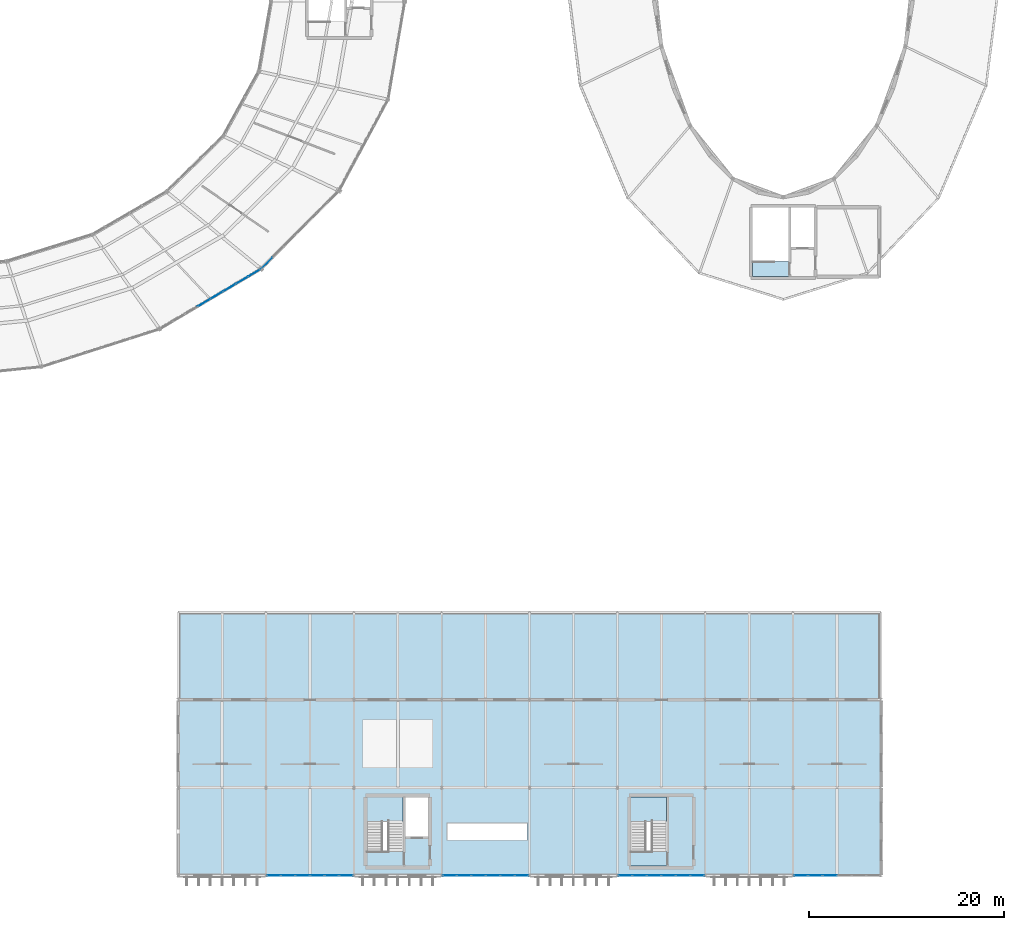
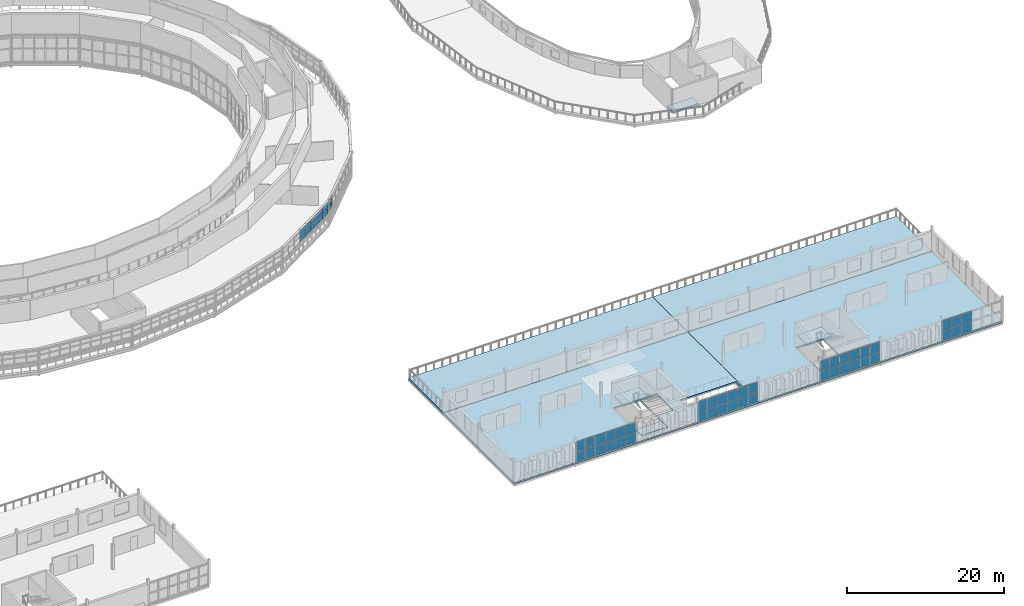
# One storey, part 86 of 123: 54 plates, 9 slabs, 8 elements without a shape of their own.
"""IFC4 building model written with IfcOpenShell, lengths in metres."""

from ifc_helpers import new_model, si_unit, direction, frame, origin, origin_2d, place, context, subcontext, project, spatial, polyline, rectangle, outline, extrude, material, layer, layer_set, type_object, element, aggregate, save


model = new_model("IFC4")

# Units and contexts
model_context = context("Model", 3, precision=1e-05, world=origin(), true_north=direction((0.0, 1.0)))
body_context = subcontext(model_context, "Body", "Model", "MODEL_VIEW")
ifc_project = project(units=[si_unit("LENGTHUNIT", "METRE"), si_unit("AREAUNIT", "SQUARE_METRE"), si_unit("VOLUMEUNIT", "CUBIC_METRE"), si_unit("PLANEANGLEUNIT", "RADIAN"), si_unit("MASSUNIT", "GRAM", prefix="KILO")], contexts=[model_context])

# Site, building, storey
site_placement = place(None, origin())
site = spatial("IfcSite", under=ifc_project, at=site_placement, CompositionType="ELEMENT")
building_placement = place(site_placement, origin())
building = spatial("IfcBuilding", under=site, at=building_placement, Name="Kildeholm Park Wholesale Market", CompositionType="ELEMENT")
storey_placement = place(building_placement, frame((0.0, 0.0, 9.60009765625)))
storey = spatial("IfcBuildingStorey", under=building, at=storey_placement, Name="L02", CompositionType="ELEMENT", Elevation=9.60009765625)

# Curtain wall, plates
ifc_material_1 = material(Name="Anodised aluminium and low-E double-glazed glass", Category="aluminium")
curtain_wall_type_1 = type_object("IfcCurtainWallType", Name="Park wing thermally broken curtain wall CW-03", PredefinedType="NOTDEFINED", material=ifc_material_1)
curtain_wall_1_placement = place(storey_placement, origin())
curtain_wall_1 = element("IfcCurtainWall", 1, at=curtain_wall_1_placement, inside=storey, type_object=curtain_wall_type_1, Name="Curtain wall CW-V5E-L02-S-02 CW-0155", PredefinedType="NOTDEFINED")
ifc_material_2 = material(Name="Triple-glazed solar-control glass", Category="glass")
ifc_layer_1 = layer(ifc_material_2, 0.035888671875)
ifc_layer_set_1 = layer_set([ifc_layer_1], Name="Triple-glazed solar-control glass")
plate_type_1 = type_object("IfcPlateType", Name="Curtain-wall panel CWP-2 36 mm", PredefinedType="CURTAIN_PANEL", material=ifc_layer_set_1)
plate_1_placement = place(storey_placement, frame((135.802001953125, 0.0, 0.07470703125), z_axis=(0.0, 0.0, 1.0), x_axis=(1.0, 0.0, 0.0)))
plate_1 = element("IfcPlate", 2, at=plate_1_placement, type_object=plate_type_1, Name="CW-03 panel 1.1 PLT-2268", PredefinedType="CURTAIN_PANEL", context=body_context, shape_type="SweptSolid", body=[
    extrude(rectangle(XDim=1.374267578125, YDim=0.035888671875, at=origin_2d()), origin(), (0.0, 0.0, 1.0), 1.512451171875),
])
plate_2_placement = place(storey_placement, frame((135.802001953125, 0.0, 1.66259765625), z_axis=(0.0, 0.0, 1.0), x_axis=(1.0, 0.0, 0.0)))
plate_2 = element("IfcPlate", 3, at=plate_2_placement, type_object=plate_type_1, Name="CW-03 panel 1.2 PLT-2269", PredefinedType="CURTAIN_PANEL", context=body_context, shape_type="SweptSolid", body=[
    extrude(rectangle(XDim=1.374267578125, YDim=0.035888671875, at=origin_2d()), origin(), (0.0, 0.0, 1.0), 1.512451171875),
])
plate_3_placement = place(storey_placement, frame((137.27001953125, 0.0, 0.07470703125), z_axis=(0.0, 0.0, 1.0), x_axis=(1.0, 0.0, 0.0)))
plate_3 = element("IfcPlate", 4, at=plate_3_placement, type_object=plate_type_1, Name="CW-03 panel 2.1 PLT-2270", PredefinedType="CURTAIN_PANEL", context=body_context, shape_type="SweptSolid", body=[
    extrude(rectangle(XDim=1.41162109375, YDim=0.035888671875, at=origin_2d()), origin(), (0.0, 0.0, 1.0), 1.512451171875),
])
plate_4_placement = place(storey_placement, frame((137.27001953125, 0.0, 1.66259765625), z_axis=(0.0, 0.0, 1.0), x_axis=(1.0, 0.0, 0.0)))
plate_4 = element("IfcPlate", 5, at=plate_4_placement, type_object=plate_type_1, Name="CW-03 panel 2.2 PLT-2271", PredefinedType="CURTAIN_PANEL", context=body_context, shape_type="SweptSolid", body=[
    extrude(rectangle(XDim=1.41162109375, YDim=0.035888671875, at=origin_2d()), origin(), (0.0, 0.0, 1.0), 1.512451171875),
])
plate_5_placement = place(storey_placement, frame((138.756591796875, 0.0, 0.07470703125), z_axis=(0.0, 0.0, 1.0), x_axis=(1.0, 0.0, 0.0)))
plate_5 = element("IfcPlate", 6, at=plate_5_placement, type_object=plate_type_1, Name="CW-03 panel 3.1 PLT-2272", PredefinedType="CURTAIN_PANEL", context=body_context, shape_type="SweptSolid", body=[
    extrude(rectangle(XDim=1.41162109375, YDim=0.035888671875, at=origin_2d()), origin(), (0.0, 0.0, 1.0), 1.512451171875),
])
plate_6_placement = place(storey_placement, frame((138.756591796875, 0.0, 1.66259765625), z_axis=(0.0, 0.0, 1.0), x_axis=(1.0, 0.0, 0.0)))
plate_6 = element("IfcPlate", 7, at=plate_6_placement, type_object=plate_type_1, Name="CW-03 panel 3.2 PLT-2273", PredefinedType="CURTAIN_PANEL", context=body_context, shape_type="SweptSolid", body=[
    extrude(rectangle(XDim=1.41162109375, YDim=0.035888671875, at=origin_2d()), origin(), (0.0, 0.0, 1.0), 1.512451171875),
])
plate_7_placement = place(storey_placement, frame((140.243408203125, 0.0, 0.07470703125), z_axis=(0.0, 0.0, 1.0), x_axis=(1.0, 0.0, 0.0)))
plate_7 = element("IfcPlate", 8, at=plate_7_placement, type_object=plate_type_1, Name="CW-03 panel 4.1 PLT-2274", PredefinedType="CURTAIN_PANEL", context=body_context, shape_type="SweptSolid", body=[
    extrude(rectangle(XDim=1.41162109375, YDim=0.035888671875, at=origin_2d()), origin(), (0.0, 0.0, 1.0), 1.512451171875),
])
plate_8_placement = place(storey_placement, frame((140.243408203125, 0.0, 1.66259765625), z_axis=(0.0, 0.0, 1.0), x_axis=(1.0, 0.0, 0.0)))
plate_8 = element("IfcPlate", 9, at=plate_8_placement, type_object=plate_type_1, Name="CW-03 panel 4.2 PLT-2275", PredefinedType="CURTAIN_PANEL", context=body_context, shape_type="SweptSolid", body=[
    extrude(rectangle(XDim=1.41162109375, YDim=0.035888671875, at=origin_2d()), origin(), (0.0, 0.0, 1.0), 1.512451171875),
])
plate_9_placement = place(storey_placement, frame((141.72998046875, 0.0, 0.07470703125), z_axis=(0.0, 0.0, 1.0), x_axis=(1.0, 0.0, 0.0)))
plate_9 = element("IfcPlate", 10, at=plate_9_placement, type_object=plate_type_1, Name="CW-03 panel 5.1 PLT-2276", PredefinedType="CURTAIN_PANEL", context=body_context, shape_type="SweptSolid", body=[
    extrude(rectangle(XDim=1.41162109375, YDim=0.035888671875, at=origin_2d()), origin(), (0.0, 0.0, 1.0), 1.512451171875),
])
plate_10_placement = place(storey_placement, frame((141.72998046875, 0.0, 1.66259765625), z_axis=(0.0, 0.0, 1.0), x_axis=(1.0, 0.0, 0.0)))
plate_10 = element("IfcPlate", 11, at=plate_10_placement, type_object=plate_type_1, Name="CW-03 panel 5.2 PLT-2277", PredefinedType="CURTAIN_PANEL", context=body_context, shape_type="SweptSolid", body=[
    extrude(rectangle(XDim=1.41162109375, YDim=0.035888671875, at=origin_2d()), origin(), (0.0, 0.0, 1.0), 1.512451171875),
])
plate_11_placement = place(storey_placement, frame((143.197998046875, 0.0, 0.07470703125), z_axis=(0.0, 0.0, 1.0), x_axis=(1.0, 0.0, 0.0)))
plate_11 = element("IfcPlate", 12, at=plate_11_placement, type_object=plate_type_1, Name="CW-03 panel 6.1 PLT-2278", PredefinedType="CURTAIN_PANEL", context=body_context, shape_type="SweptSolid", body=[
    extrude(rectangle(XDim=1.374267578125, YDim=0.035888671875, at=origin_2d()), origin(), (0.0, 0.0, 1.0), 1.512451171875),
])
plate_12_placement = place(storey_placement, frame((143.197998046875, 0.0, 1.66259765625), z_axis=(0.0, 0.0, 1.0), x_axis=(1.0, 0.0, 0.0)))
plate_12 = element("IfcPlate", 13, at=plate_12_placement, type_object=plate_type_1, Name="CW-03 panel 6.2 PLT-2279", PredefinedType="CURTAIN_PANEL", context=body_context, shape_type="SweptSolid", body=[
    extrude(rectangle(XDim=1.374267578125, YDim=0.035888671875, at=origin_2d()), origin(), (0.0, 0.0, 1.0), 1.512451171875),
])
aggregate(curtain_wall_1, [plate_1, plate_2, plate_3, plate_4, plate_5, plate_6, plate_7, plate_8, plate_9, plate_10, plate_11, plate_12])

curtain_wall_2_placement = place(storey_placement, origin())
curtain_wall_2 = element("IfcCurtainWall", 14, at=curtain_wall_2_placement, inside=storey, type_object=curtain_wall_type_1, Name="Curtain wall CW-V5E-L02-S-04 CW-0156", PredefinedType="NOTDEFINED")
plate_13_placement = place(storey_placement, frame((153.802001953125, 0.0, 0.07470703125), z_axis=(0.0, 0.0, 1.0), x_axis=(1.0, 0.0, 0.0)))
plate_13 = element("IfcPlate", 15, at=plate_13_placement, type_object=plate_type_1, Name="CW-03 panel 1.1 PLT-2280", PredefinedType="CURTAIN_PANEL", context=body_context, shape_type="SweptSolid", body=[
    extrude(rectangle(XDim=1.374267578125, YDim=0.035888671875, at=origin_2d()), origin(), (0.0, 0.0, 1.0), 1.512451171875),
])
plate_14_placement = place(storey_placement, frame((153.802001953125, 0.0, 1.66259765625), z_axis=(0.0, 0.0, 1.0), x_axis=(1.0, 0.0, 0.0)))
plate_14 = element("IfcPlate", 16, at=plate_14_placement, type_object=plate_type_1, Name="CW-03 panel 1.2 PLT-2281", PredefinedType="CURTAIN_PANEL", context=body_context, shape_type="SweptSolid", body=[
    extrude(rectangle(XDim=1.374267578125, YDim=0.035888671875, at=origin_2d()), origin(), (0.0, 0.0, 1.0), 1.512451171875),
])
plate_15_placement = place(storey_placement, frame((155.27001953125, 0.0, 0.07470703125), z_axis=(0.0, 0.0, 1.0), x_axis=(1.0, 0.0, 0.0)))
plate_15 = element("IfcPlate", 17, at=plate_15_placement, type_object=plate_type_1, Name="CW-03 panel 2.1 PLT-2282", PredefinedType="CURTAIN_PANEL", context=body_context, shape_type="SweptSolid", body=[
    extrude(rectangle(XDim=1.41162109375, YDim=0.035888671875, at=origin_2d()), origin(), (0.0, 0.0, 1.0), 1.512451171875),
])
plate_16_placement = place(storey_placement, frame((155.27001953125, 0.0, 1.66259765625), z_axis=(0.0, 0.0, 1.0), x_axis=(1.0, 0.0, 0.0)))
plate_16 = element("IfcPlate", 18, at=plate_16_placement, type_object=plate_type_1, Name="CW-03 panel 2.2 PLT-2283", PredefinedType="CURTAIN_PANEL", context=body_context, shape_type="SweptSolid", body=[
    extrude(rectangle(XDim=1.41162109375, YDim=0.035888671875, at=origin_2d()), origin(), (0.0, 0.0, 1.0), 1.512451171875),
])
plate_17_placement = place(storey_placement, frame((156.756591796875, 0.0, 0.07470703125), z_axis=(0.0, 0.0, 1.0), x_axis=(1.0, 0.0, 0.0)))
plate_17 = element("IfcPlate", 19, at=plate_17_placement, type_object=plate_type_1, Name="CW-03 panel 3.1 PLT-2284", PredefinedType="CURTAIN_PANEL", context=body_context, shape_type="SweptSolid", body=[
    extrude(rectangle(XDim=1.41162109375, YDim=0.035888671875, at=origin_2d()), origin(), (0.0, 0.0, 1.0), 1.512451171875),
])
plate_18_placement = place(storey_placement, frame((156.756591796875, 0.0, 1.66259765625), z_axis=(0.0, 0.0, 1.0), x_axis=(1.0, 0.0, 0.0)))
plate_18 = element("IfcPlate", 20, at=plate_18_placement, type_object=plate_type_1, Name="CW-03 panel 3.2 PLT-2285", PredefinedType="CURTAIN_PANEL", context=body_context, shape_type="SweptSolid", body=[
    extrude(rectangle(XDim=1.41162109375, YDim=0.035888671875, at=origin_2d()), origin(), (0.0, 0.0, 1.0), 1.512451171875),
])
plate_19_placement = place(storey_placement, frame((158.243408203125, 0.0, 0.07470703125), z_axis=(0.0, 0.0, 1.0), x_axis=(1.0, 0.0, 0.0)))
plate_19 = element("IfcPlate", 21, at=plate_19_placement, type_object=plate_type_1, Name="CW-03 panel 4.1 PLT-2286", PredefinedType="CURTAIN_PANEL", context=body_context, shape_type="SweptSolid", body=[
    extrude(rectangle(XDim=1.41162109375, YDim=0.035888671875, at=origin_2d()), origin(), (0.0, 0.0, 1.0), 1.512451171875),
])
plate_20_placement = place(storey_placement, frame((158.243408203125, 0.0, 1.66259765625), z_axis=(0.0, 0.0, 1.0), x_axis=(1.0, 0.0, 0.0)))
plate_20 = element("IfcPlate", 22, at=plate_20_placement, type_object=plate_type_1, Name="CW-03 panel 4.2 PLT-2287", PredefinedType="CURTAIN_PANEL", context=body_context, shape_type="SweptSolid", body=[
    extrude(rectangle(XDim=1.41162109375, YDim=0.035888671875, at=origin_2d()), origin(), (0.0, 0.0, 1.0), 1.512451171875),
])
plate_21_placement = place(storey_placement, frame((159.72998046875, 0.0, 0.07470703125), z_axis=(0.0, 0.0, 1.0), x_axis=(1.0, 0.0, 0.0)))
plate_21 = element("IfcPlate", 23, at=plate_21_placement, type_object=plate_type_1, Name="CW-03 panel 5.1 PLT-2288", PredefinedType="CURTAIN_PANEL", context=body_context, shape_type="SweptSolid", body=[
    extrude(rectangle(XDim=1.41162109375, YDim=0.035888671875, at=origin_2d()), origin(), (0.0, 0.0, 1.0), 1.512451171875),
])
plate_22_placement = place(storey_placement, frame((159.72998046875, 0.0, 1.66259765625), z_axis=(0.0, 0.0, 1.0), x_axis=(1.0, 0.0, 0.0)))
plate_22 = element("IfcPlate", 24, at=plate_22_placement, type_object=plate_type_1, Name="CW-03 panel 5.2 PLT-2289", PredefinedType="CURTAIN_PANEL", context=body_context, shape_type="SweptSolid", body=[
    extrude(rectangle(XDim=1.41162109375, YDim=0.035888671875, at=origin_2d()), origin(), (0.0, 0.0, 1.0), 1.512451171875),
])
plate_23_placement = place(storey_placement, frame((161.197998046875, 0.0, 0.07470703125), z_axis=(0.0, 0.0, 1.0), x_axis=(1.0, 0.0, 0.0)))
plate_23 = element("IfcPlate", 25, at=plate_23_placement, type_object=plate_type_1, Name="CW-03 panel 6.1 PLT-2290", PredefinedType="CURTAIN_PANEL", context=body_context, shape_type="SweptSolid", body=[
    extrude(rectangle(XDim=1.374267578125, YDim=0.035888671875, at=origin_2d()), origin(), (0.0, 0.0, 1.0), 1.512451171875),
])
plate_24_placement = place(storey_placement, frame((161.197998046875, 0.0, 1.66259765625), z_axis=(0.0, 0.0, 1.0), x_axis=(1.0, 0.0, 0.0)))
plate_24 = element("IfcPlate", 26, at=plate_24_placement, type_object=plate_type_1, Name="CW-03 panel 6.2 PLT-2291", PredefinedType="CURTAIN_PANEL", context=body_context, shape_type="SweptSolid", body=[
    extrude(rectangle(XDim=1.374267578125, YDim=0.035888671875, at=origin_2d()), origin(), (0.0, 0.0, 1.0), 1.512451171875),
])
aggregate(curtain_wall_2, [plate_13, plate_14, plate_15, plate_16, plate_17, plate_18, plate_19, plate_20, plate_21, plate_22, plate_23, plate_24])

curtain_wall_3_placement = place(storey_placement, origin())
curtain_wall_3 = element("IfcCurtainWall", 27, at=curtain_wall_3_placement, inside=storey, type_object=curtain_wall_type_1, Name="Curtain wall CW-V5E-L02-S-06 CW-0157", PredefinedType="NOTDEFINED")
plate_25_placement = place(storey_placement, frame((171.802001953125, 0.0, 0.07470703125), z_axis=(0.0, 0.0, 1.0), x_axis=(1.0, 0.0, 0.0)))
plate_25 = element("IfcPlate", 28, at=plate_25_placement, type_object=plate_type_1, Name="CW-03 panel 1.1 PLT-2292", PredefinedType="CURTAIN_PANEL", context=body_context, shape_type="SweptSolid", body=[
    extrude(rectangle(XDim=1.374267578125, YDim=0.035888671875, at=origin_2d()), origin(), (0.0, 0.0, 1.0), 1.512451171875),
])
plate_26_placement = place(storey_placement, frame((171.802001953125, 0.0, 1.66259765625), z_axis=(0.0, 0.0, 1.0), x_axis=(1.0, 0.0, 0.0)))
plate_26 = element("IfcPlate", 29, at=plate_26_placement, type_object=plate_type_1, Name="CW-03 panel 1.2 PLT-2293", PredefinedType="CURTAIN_PANEL", context=body_context, shape_type="SweptSolid", body=[
    extrude(rectangle(XDim=1.374267578125, YDim=0.035888671875, at=origin_2d()), origin(), (0.0, 0.0, 1.0), 1.512451171875),
])
plate_27_placement = place(storey_placement, frame((173.27001953125, 0.0, 0.07470703125), z_axis=(0.0, 0.0, 1.0), x_axis=(1.0, 0.0, 0.0)))
plate_27 = element("IfcPlate", 30, at=plate_27_placement, type_object=plate_type_1, Name="CW-03 panel 2.1 PLT-2294", PredefinedType="CURTAIN_PANEL", context=body_context, shape_type="SweptSolid", body=[
    extrude(rectangle(XDim=1.41162109375, YDim=0.035888671875, at=origin_2d()), origin(), (0.0, 0.0, 1.0), 1.512451171875),
])
plate_28_placement = place(storey_placement, frame((173.27001953125, 0.0, 1.66259765625), z_axis=(0.0, 0.0, 1.0), x_axis=(1.0, 0.0, 0.0)))
plate_28 = element("IfcPlate", 31, at=plate_28_placement, type_object=plate_type_1, Name="CW-03 panel 2.2 PLT-2295", PredefinedType="CURTAIN_PANEL", context=body_context, shape_type="SweptSolid", body=[
    extrude(rectangle(XDim=1.41162109375, YDim=0.035888671875, at=origin_2d()), origin(), (0.0, 0.0, 1.0), 1.512451171875),
])
plate_29_placement = place(storey_placement, frame((174.756591796875, 0.0, 0.07470703125), z_axis=(0.0, 0.0, 1.0), x_axis=(1.0, 0.0, 0.0)))
plate_29 = element("IfcPlate", 32, at=plate_29_placement, type_object=plate_type_1, Name="CW-03 panel 3.1 PLT-2296", PredefinedType="CURTAIN_PANEL", context=body_context, shape_type="SweptSolid", body=[
    extrude(rectangle(XDim=1.41162109375, YDim=0.035888671875, at=origin_2d()), origin(), (0.0, 0.0, 1.0), 1.512451171875),
])
plate_30_placement = place(storey_placement, frame((174.756591796875, 0.0, 1.66259765625), z_axis=(0.0, 0.0, 1.0), x_axis=(1.0, 0.0, 0.0)))
plate_30 = element("IfcPlate", 33, at=plate_30_placement, type_object=plate_type_1, Name="CW-03 panel 3.2 PLT-2297", PredefinedType="CURTAIN_PANEL", context=body_context, shape_type="SweptSolid", body=[
    extrude(rectangle(XDim=1.41162109375, YDim=0.035888671875, at=origin_2d()), origin(), (0.0, 0.0, 1.0), 1.512451171875),
])
plate_31_placement = place(storey_placement, frame((176.243408203125, 0.0, 0.07470703125), z_axis=(0.0, 0.0, 1.0), x_axis=(1.0, 0.0, 0.0)))
plate_31 = element("IfcPlate", 34, at=plate_31_placement, type_object=plate_type_1, Name="CW-03 panel 4.1 PLT-2298", PredefinedType="CURTAIN_PANEL", context=body_context, shape_type="SweptSolid", body=[
    extrude(rectangle(XDim=1.41162109375, YDim=0.035888671875, at=origin_2d()), origin(), (0.0, 0.0, 1.0), 1.512451171875),
])
plate_32_placement = place(storey_placement, frame((176.243408203125, 0.0, 1.66259765625), z_axis=(0.0, 0.0, 1.0), x_axis=(1.0, 0.0, 0.0)))
plate_32 = element("IfcPlate", 35, at=plate_32_placement, type_object=plate_type_1, Name="CW-03 panel 4.2 PLT-2299", PredefinedType="CURTAIN_PANEL", context=body_context, shape_type="SweptSolid", body=[
    extrude(rectangle(XDim=1.41162109375, YDim=0.035888671875, at=origin_2d()), origin(), (0.0, 0.0, 1.0), 1.512451171875),
])
plate_33_placement = place(storey_placement, frame((177.72998046875, 0.0, 0.07470703125), z_axis=(0.0, 0.0, 1.0), x_axis=(1.0, 0.0, 0.0)))
plate_33 = element("IfcPlate", 36, at=plate_33_placement, type_object=plate_type_1, Name="CW-03 panel 5.1 PLT-2300", PredefinedType="CURTAIN_PANEL", context=body_context, shape_type="SweptSolid", body=[
    extrude(rectangle(XDim=1.41162109375, YDim=0.035888671875, at=origin_2d()), origin(), (0.0, 0.0, 1.0), 1.512451171875),
])
plate_34_placement = place(storey_placement, frame((177.72998046875, 0.0, 1.66259765625), z_axis=(0.0, 0.0, 1.0), x_axis=(1.0, 0.0, 0.0)))
plate_34 = element("IfcPlate", 37, at=plate_34_placement, type_object=plate_type_1, Name="CW-03 panel 5.2 PLT-2301", PredefinedType="CURTAIN_PANEL", context=body_context, shape_type="SweptSolid", body=[
    extrude(rectangle(XDim=1.41162109375, YDim=0.035888671875, at=origin_2d()), origin(), (0.0, 0.0, 1.0), 1.512451171875),
])
plate_35_placement = place(storey_placement, frame((179.197998046875, 0.0, 0.07470703125), z_axis=(0.0, 0.0, 1.0), x_axis=(1.0, 0.0, 0.0)))
plate_35 = element("IfcPlate", 38, at=plate_35_placement, type_object=plate_type_1, Name="CW-03 panel 6.1 PLT-2302", PredefinedType="CURTAIN_PANEL", context=body_context, shape_type="SweptSolid", body=[
    extrude(rectangle(XDim=1.374267578125, YDim=0.035888671875, at=origin_2d()), origin(), (0.0, 0.0, 1.0), 1.512451171875),
])
plate_36_placement = place(storey_placement, frame((179.197998046875, 0.0, 1.66259765625), z_axis=(0.0, 0.0, 1.0), x_axis=(1.0, 0.0, 0.0)))
plate_36 = element("IfcPlate", 39, at=plate_36_placement, type_object=plate_type_1, Name="CW-03 panel 6.2 PLT-2303", PredefinedType="CURTAIN_PANEL", context=body_context, shape_type="SweptSolid", body=[
    extrude(rectangle(XDim=1.374267578125, YDim=0.035888671875, at=origin_2d()), origin(), (0.0, 0.0, 1.0), 1.512451171875),
])
aggregate(curtain_wall_3, [plate_25, plate_26, plate_27, plate_28, plate_29, plate_30, plate_31, plate_32, plate_33, plate_34, plate_35, plate_36])

curtain_wall_4_placement = place(storey_placement, origin())
curtain_wall_4 = element("IfcCurtainWall", 40, at=curtain_wall_4_placement, inside=storey, type_object=curtain_wall_type_1, Name="Curtain wall CW-V5E-L02-S-08 CW-0158", PredefinedType="NOTDEFINED")
plate_37_placement = place(storey_placement, frame((189.802001953125, 0.0, 0.07470703125), z_axis=(0.0, 0.0, 1.0), x_axis=(1.0, 0.0, 0.0)))
plate_37 = element("IfcPlate", 41, at=plate_37_placement, type_object=plate_type_1, Name="CW-03 panel 1.1 PLT-2304", PredefinedType="CURTAIN_PANEL", context=body_context, shape_type="SweptSolid", body=[
    extrude(rectangle(XDim=1.374267578125, YDim=0.035888671875, at=origin_2d()), origin(), (0.0, 0.0, 1.0), 1.512451171875),
])
plate_38_placement = place(storey_placement, frame((189.802001953125, 0.0, 1.66259765625), z_axis=(0.0, 0.0, 1.0), x_axis=(1.0, 0.0, 0.0)))
plate_38 = element("IfcPlate", 42, at=plate_38_placement, type_object=plate_type_1, Name="CW-03 panel 1.2 PLT-2305", PredefinedType="CURTAIN_PANEL", context=body_context, shape_type="SweptSolid", body=[
    extrude(rectangle(XDim=1.374267578125, YDim=0.035888671875, at=origin_2d()), origin(), (0.0, 0.0, 1.0), 1.512451171875),
])
plate_39_placement = place(storey_placement, frame((191.27001953125, 0.0, 0.07470703125), z_axis=(0.0, 0.0, 1.0), x_axis=(1.0, 0.0, 0.0)))
plate_39 = element("IfcPlate", 43, at=plate_39_placement, type_object=plate_type_1, Name="CW-03 panel 2.1 PLT-2306", PredefinedType="CURTAIN_PANEL", context=body_context, shape_type="SweptSolid", body=[
    extrude(rectangle(XDim=1.41162109375, YDim=0.035888671875, at=origin_2d()), origin(), (0.0, 0.0, 1.0), 1.512451171875),
])
plate_40_placement = place(storey_placement, frame((191.27001953125, 0.0, 1.66259765625), z_axis=(0.0, 0.0, 1.0), x_axis=(1.0, 0.0, 0.0)))
plate_40 = element("IfcPlate", 44, at=plate_40_placement, type_object=plate_type_1, Name="CW-03 panel 2.2 PLT-2307", PredefinedType="CURTAIN_PANEL", context=body_context, shape_type="SweptSolid", body=[
    extrude(rectangle(XDim=1.41162109375, YDim=0.035888671875, at=origin_2d()), origin(), (0.0, 0.0, 1.0), 1.512451171875),
])
plate_41_placement = place(storey_placement, frame((192.756591796875, 0.0, 0.07470703125), z_axis=(0.0, 0.0, 1.0), x_axis=(1.0, 0.0, 0.0)))
plate_41 = element("IfcPlate", 45, at=plate_41_placement, type_object=plate_type_1, Name="CW-03 panel 3.1 PLT-2308", PredefinedType="CURTAIN_PANEL", context=body_context, shape_type="SweptSolid", body=[
    extrude(rectangle(XDim=1.41162109375, YDim=0.035888671875, at=origin_2d()), origin(), (0.0, 0.0, 1.0), 1.512451171875),
])
plate_42_placement = place(storey_placement, frame((192.756591796875, 0.0, 1.66259765625), z_axis=(0.0, 0.0, 1.0), x_axis=(1.0, 0.0, 0.0)))
plate_42 = element("IfcPlate", 46, at=plate_42_placement, type_object=plate_type_1, Name="CW-03 panel 3.2 PLT-2309", PredefinedType="CURTAIN_PANEL", context=body_context, shape_type="SweptSolid", body=[
    extrude(rectangle(XDim=1.41162109375, YDim=0.035888671875, at=origin_2d()), origin(), (0.0, 0.0, 1.0), 1.512451171875),
])
aggregate(curtain_wall_4, [plate_37, plate_38, plate_39, plate_40, plate_41, plate_42])

curtain_wall_type_2 = type_object("IfcCurtainWallType", Name="Clerestory daylight stick curtain wall CW-02", PredefinedType="NOTDEFINED", material=ifc_material_1)
curtain_wall_5_placement = place(storey_placement, origin())
curtain_wall_5 = element("IfcCurtainWall", 47, at=curtain_wall_5_placement, inside=storey, type_object=curtain_wall_type_2, Name="Curtain wall CW-V1-CL-20 CW-0100", PredefinedType="NOTDEFINED")
ifc_material_3 = material(Name="Fritted solar-control clerestory glass", Category="glass")
ifc_layer_2 = layer(ifc_material_3, 0.031982421875)
ifc_layer_set_2 = layer_set([ifc_layer_2], Name="Fritted solar-control clerestory glass")
plate_type_2 = type_object("IfcPlateType", Name="Curtain-wall panel CWP-4 32 mm", PredefinedType="CURTAIN_PANEL", material=ifc_layer_set_2)
plate_43_placement = place(storey_placement, frame((128.656494140625, 58.6748046875, 1.40966796875), z_axis=(0.0, 0.0, 1.0), x_axis=(0.860704129033, 0.509105492275, 0.0)))
plate_43 = element("IfcPlate", 48, at=plate_43_placement, type_object=plate_type_2, Name="CW-02 panel 4.1 PLT-1512", PredefinedType="CURTAIN_PANEL", context=body_context, shape_type="SweptSolid", body=[
    extrude(rectangle(XDim=1.43994140625, YDim=0.031982421875, at=origin_2d()), origin(), (0.0, 0.0, 1.0), 0.860107421875),
])
plate_44_placement = place(storey_placement, frame((128.656494140625, 58.6748046875, 2.330078125), z_axis=(0.0, 0.0, 1.0), x_axis=(0.860704129033, 0.509105492275, 0.0)))
plate_44 = element("IfcPlate", 49, at=plate_44_placement, type_object=plate_type_2, Name="CW-02 panel 4.2 PLT-1513", PredefinedType="CURTAIN_PANEL", context=body_context, shape_type="SweptSolid", body=[
    extrude(rectangle(XDim=1.43994140625, YDim=0.031982421875, at=origin_2d()), origin(), (0.0, 0.0, 1.0), 0.860107421875),
])
plate_45_placement = place(storey_placement, frame((129.947509765625, 59.438232421875, 1.40966796875), z_axis=(0.0, 0.0, 1.0), x_axis=(0.860704129033, 0.509105492275, 0.0)))
plate_45 = element("IfcPlate", 50, at=plate_45_placement, type_object=plate_type_2, Name="CW-02 panel 5.1 PLT-1514", PredefinedType="CURTAIN_PANEL", context=body_context, shape_type="SweptSolid", body=[
    extrude(rectangle(XDim=1.43994140625, YDim=0.031982421875, at=origin_2d()), origin(), (0.0, 0.0, 1.0), 0.860107421875),
])
plate_46_placement = place(storey_placement, frame((129.947509765625, 59.438232421875, 2.330078125), z_axis=(0.0, 0.0, 1.0), x_axis=(0.860704129033, 0.509105492275, 0.0)))
plate_46 = element("IfcPlate", 51, at=plate_46_placement, type_object=plate_type_2, Name="CW-02 panel 5.2 PLT-1515", PredefinedType="CURTAIN_PANEL", context=body_context, shape_type="SweptSolid", body=[
    extrude(rectangle(XDim=1.43994140625, YDim=0.031982421875, at=origin_2d()), origin(), (0.0, 0.0, 1.0), 0.860107421875),
])
plate_47_placement = place(storey_placement, frame((131.238525390625, 60.201904296875, 1.40966796875), z_axis=(0.0, 0.0, 1.0), x_axis=(0.860704129033, 0.509105492275, 0.0)))
plate_47 = element("IfcPlate", 52, at=plate_47_placement, type_object=plate_type_2, Name="CW-02 panel 6.1 PLT-1516", PredefinedType="CURTAIN_PANEL", context=body_context, shape_type="SweptSolid", body=[
    extrude(rectangle(XDim=1.43994140625, YDim=0.031982421875, at=origin_2d()), origin(), (0.0, 0.0, 1.0), 0.860107421875),
])
plate_48_placement = place(storey_placement, frame((131.238525390625, 60.201904296875, 2.330078125), z_axis=(0.0, 0.0, 1.0), x_axis=(0.860704129033, 0.509105492275, 0.0)))
plate_48 = element("IfcPlate", 53, at=plate_48_placement, type_object=plate_type_2, Name="CW-02 panel 6.2 PLT-1517", PredefinedType="CURTAIN_PANEL", context=body_context, shape_type="SweptSolid", body=[
    extrude(rectangle(XDim=1.43994140625, YDim=0.031982421875, at=origin_2d()), origin(), (0.0, 0.0, 1.0), 0.860107421875),
])
plate_49_placement = place(storey_placement, frame((132.529541015625, 60.965576171875, 1.40966796875), z_axis=(0.0, 0.0, 1.0), x_axis=(0.860704129033, 0.509105492275, 0.0)))
plate_49 = element("IfcPlate", 54, at=plate_49_placement, type_object=plate_type_2, Name="CW-02 panel 7.1 PLT-1518", PredefinedType="CURTAIN_PANEL", context=body_context, shape_type="SweptSolid", body=[
    extrude(rectangle(XDim=1.43994140625, YDim=0.031982421875, at=origin_2d()), origin(), (0.0, 0.0, 1.0), 0.860107421875),
])
plate_50_placement = place(storey_placement, frame((132.529541015625, 60.965576171875, 2.330078125), z_axis=(0.0, 0.0, 1.0), x_axis=(0.860704129033, 0.509105492275, 0.0)))
plate_50 = element("IfcPlate", 55, at=plate_50_placement, type_object=plate_type_2, Name="CW-02 panel 7.2 PLT-1519", PredefinedType="CURTAIN_PANEL", context=body_context, shape_type="SweptSolid", body=[
    extrude(rectangle(XDim=1.43994140625, YDim=0.031982421875, at=origin_2d()), origin(), (0.0, 0.0, 1.0), 0.860107421875),
])
plate_51_placement = place(storey_placement, frame((133.8076171875, 61.721435546875, 1.40966796875), z_axis=(0.0, 0.0, 1.0), x_axis=(0.860704129033, 0.509105492275, 0.0)))
plate_51 = element("IfcPlate", 56, at=plate_51_placement, type_object=plate_type_2, Name="CW-02 panel 8.1 PLT-1520", PredefinedType="CURTAIN_PANEL", context=body_context, shape_type="SweptSolid", body=[
    extrude(rectangle(XDim=1.409912109375, YDim=0.031982421875, at=origin_2d()), origin(), (0.0, 0.0, 1.0), 0.860107421875),
])
plate_52_placement = place(storey_placement, frame((133.8076171875, 61.721435546875, 2.330078125), z_axis=(0.0, 0.0, 1.0), x_axis=(0.860704129033, 0.509105492275, 0.0)))
plate_52 = element("IfcPlate", 57, at=plate_52_placement, type_object=plate_type_2, Name="CW-02 panel 8.2 PLT-1521", PredefinedType="CURTAIN_PANEL", context=body_context, shape_type="SweptSolid", body=[
    extrude(rectangle(XDim=1.409912109375, YDim=0.031982421875, at=origin_2d()), origin(), (0.0, 0.0, 1.0), 0.860107421875),
])
aggregate(curtain_wall_5, [plate_43, plate_44, plate_45, plate_46, plate_47, plate_48, plate_49, plate_50, plate_51, plate_52])

curtain_wall_6_placement = place(storey_placement, origin())
curtain_wall_6 = element("IfcCurtainWall", 58, at=curtain_wall_6_placement, inside=storey, type_object=curtain_wall_type_2, Name="Curtain wall CW-V1-CL-21 CW-0105", PredefinedType="NOTDEFINED")
plate_53_placement = place(storey_placement, frame((135.1064453125, 62.739013671875, 1.40966796875), z_axis=(0.0, 0.0, 1.0), x_axis=(0.705412692399, 0.708796820959, 0.0)))
plate_53 = element("IfcPlate", 59, at=plate_53_placement, type_object=plate_type_2, Name="CW-02 panel 1.1 PLT-1576", PredefinedType="CURTAIN_PANEL", context=body_context, shape_type="SweptSolid", body=[
    extrude(rectangle(XDim=1.51416015625, YDim=0.031982421875, at=origin_2d()), origin(), (0.0, 0.0, 1.0), 0.860107421875),
])
plate_54_placement = place(storey_placement, frame((135.1064453125, 62.739013671875, 2.330078125), z_axis=(0.0, 0.0, 1.0), x_axis=(0.705412692399, 0.708796820959, 0.0)))
plate_54 = element("IfcPlate", 60, at=plate_54_placement, type_object=plate_type_2, Name="CW-02 panel 1.2 PLT-1577", PredefinedType="CURTAIN_PANEL", context=body_context, shape_type="SweptSolid", body=[
    extrude(rectangle(XDim=1.51416015625, YDim=0.031982421875, at=origin_2d()), origin(), (0.0, 0.0, 1.0), 0.860107421875),
])
aggregate(curtain_wall_6, [plate_53, plate_54])

# Slabs
ifc_material_4 = material(Name="Concrete C35/45", Category="concrete")
ifc_layer_3 = layer(ifc_material_4, 0.239990234375)
ifc_layer_set_3 = layer_set([ifc_layer_3], Name="Concrete C35/45")
slab_type_1 = type_object("IfcSlabType", Name="Slab S-FL2 240 mm", PredefinedType="FLOOR", material=ifc_layer_set_3)
slab_1_placement = place(storey_placement, frame((0.0, 0.0, -0.239990234375)))
element("IfcSlab", 61, at=slab_1_placement, inside=storey, type_object=slab_type_1, Name="V5E L02 slab M part 1 SLB-0386", PredefinedType="FLOOR", context=body_context, shape_type="SweptSolid", body=[
    extrude(outline(polyline([(126.0, 18.0), (162.0, 18.0), (162.0, 0.0), (126.0, 0.0), (126.0, 18.0)]), holes=[polyline([(149.179931640625, 8.080078125), (145.320068359375, 8.080078125), (145.320068359375, 0.919921875), (149.179931640625, 0.919921875), (149.179931640625, 8.080078125)]), polyline([(161.800048828125, 5.340087890625), (153.60009765625, 5.340087890625), (153.60009765625, 3.659912109375), (161.800048828125, 3.659912109375), (161.800048828125, 5.340087890625)]), polyline([(151.679931640625, 3.820068359375), (151.679931640625, 8.080078125), (149.280029296875, 8.080078125), (149.280029296875, 3.820068359375), (151.679931640625, 3.820068359375)])]), origin(), (0.0, 0.0, 1.0), 0.239990234375),
])
slab_2_placement = place(storey_placement, frame((0.0, 0.0, -0.239990234375)))
element("IfcSlab", 62, at=slab_2_placement, inside=storey, type_object=slab_type_1, Name="V5E L02 slab M part 2 SLB-0387", PredefinedType="FLOOR", context=body_context, shape_type="SweptSolid", body=[
    extrude(outline(polyline([(162.0, 18.0), (198.0, 18.0), (198.0, 0.0), (162.0, 0.0), (162.0, 18.0)]), holes=[polyline([(176.179931640625, 8.080078125), (172.320068359375, 8.080078125), (172.320068359375, 0.919921875), (176.179931640625, 0.919921875), (176.179931640625, 8.080078125)])]), origin(), (0.0, 0.0, 1.0), 0.239990234375),
])
ifc_material_5 = material(Name="Concrete C40/50", Category="concrete")
ifc_layer_4 = layer(ifc_material_5, 0.2900390625)
ifc_layer_set_4 = layer_set([ifc_layer_4], Name="Concrete C40/50")
slab_type_2 = type_object("IfcSlabType", Name="Slab S-TR1 290 mm", PredefinedType="ROOF", material=ifc_layer_set_4)
slab_3_placement = place(storey_placement, frame((0.0, 0.0, -0.2900390625)))
element("IfcSlab", 63, at=slab_3_placement, inside=storey, type_object=slab_type_2, Name="V5E L02 slab TER part 1 SLB-0384", PredefinedType="ROOF", context=body_context, shape_type="SweptSolid", body=[
    extrude(outline(polyline([(126.0, 27.0), (162.0, 27.0), (162.0, 18.0), (126.0, 18.0), (126.0, 27.0)])), origin(), (0.0, 0.0, 1.0), 0.2900390625),
])
slab_4_placement = place(storey_placement, frame((0.0, 0.0, -0.2900390625)))
element("IfcSlab", 64, at=slab_4_placement, inside=storey, type_object=slab_type_2, Name="V5E L02 slab TER part 2 SLB-0385", PredefinedType="ROOF", context=body_context, shape_type="SweptSolid", body=[
    extrude(outline(polyline([(162.0, 27.0), (198.0, 27.0), (198.0, 18.0), (162.0, 18.0), (162.0, 27.0)])), origin(), (0.0, 0.0, 1.0), 0.2900390625),
])
ifc_layer_5 = layer(ifc_material_4, 0.239990234375)
ifc_layer_set_5 = layer_set([ifc_layer_5], Name="Concrete C35/45")
slab_type_3 = type_object("IfcSlabType", Name="Stair landing slab S-LD1 240 mm", PredefinedType="LANDING", material=ifc_layer_set_5)
slab_5_placement = place(storey_placement, frame((0.0, 0.0, -0.239990234375)))
element("IfcSlab", 65, at=slab_5_placement, inside=storey, type_object=slab_type_3, Name="Core C06 stair landing slab L02 SLB-0437", PredefinedType="LANDING", context=body_context, shape_type="SweptSolid", body=[
    extrude(outline(polyline([(145.35009765625, 0.949951171875), (149.14990234375, 0.949951171875), (149.14990234375, 2.5), (145.35009765625, 2.5), (145.35009765625, 0.949951171875)])), origin(), (0.0, 0.0, 1.0), 0.239990234375),
])

# Stair, slab
stair_type = type_object("IfcStairType", Name="Protected upper core escape stair ST-CR2", PredefinedType="HALF_TURN_STAIR", material=ifc_material_4)
stair_1_placement = place(storey_placement, origin())
stair_1 = element("IfcStair", 66, at=stair_1_placement, inside=storey, type_object=stair_type, Name="Escape stair C06 L02 STR-0016", PredefinedType="HALF_TURN_STAIR")
slab_6_placement = place(storey_placement, frame((0.0, 0.0, 1.7099609375)))
slab_6 = element("IfcSlab", 67, at=slab_6_placement, type_object=slab_type_3, Name="ST-06-02 landing 1 SLB-0438", PredefinedType="LANDING", context=body_context, shape_type="SweptSolid", body=[
    extrude(outline(polyline([(145.35009765625, 5.514892578125), (149.030029296875, 5.534912109375), (149.030029296875, 8.050048828125), (145.35009765625, 8.050048828125), (145.35009765625, 5.514892578125)])), origin(), (0.0, 0.0, 1.0), 0.239990234375),
])
aggregate(stair_1, [slab_6])

# Slab
slab_7_placement = place(storey_placement, frame((0.0, 0.0, -0.239990234375)))
element("IfcSlab", 68, at=slab_7_placement, inside=storey, type_object=slab_type_3, Name="Core C07 stair landing slab L02 SLB-0444", PredefinedType="LANDING", context=body_context, shape_type="SweptSolid", body=[
    extrude(outline(polyline([(172.35009765625, 0.949951171875), (176.14990234375, 0.949951171875), (176.14990234375, 2.5), (172.35009765625, 2.5), (172.35009765625, 0.949951171875)])), origin(), (0.0, 0.0, 1.0), 0.239990234375),
])

# Stair, slab
stair_2_placement = place(storey_placement, origin())
stair_2 = element("IfcStair", 69, at=stair_2_placement, inside=storey, type_object=stair_type, Name="Escape stair C07 L02 STR-0019", PredefinedType="HALF_TURN_STAIR")
slab_8_placement = place(storey_placement, frame((0.0, 0.0, 1.7099609375)))
slab_8 = element("IfcSlab", 70, at=slab_8_placement, type_object=slab_type_3, Name="ST-07-02 landing 1 SLB-0445", PredefinedType="LANDING", context=body_context, shape_type="SweptSolid", body=[
    extrude(outline(polyline([(172.35009765625, 5.514892578125), (176.030029296875, 5.534912109375), (176.030029296875, 8.050048828125), (172.35009765625, 8.050048828125), (172.35009765625, 5.514892578125)])), origin(), (0.0, 0.0, 1.0), 0.239990234375),
])
aggregate(stair_2, [slab_8])

# Slab
slab_9_placement = place(storey_placement, frame((0.0, 0.0, -0.239990234375)))
element("IfcSlab", 71, at=slab_9_placement, inside=storey, type_object=slab_type_3, Name="Core C12 stair landing slab L02 SLB-0475", PredefinedType="LANDING", context=body_context, shape_type="SweptSolid", body=[
    extrude(outline(polyline([(184.85009765625, 61.35009765625), (188.64990234375, 61.35009765625), (188.64990234375, 62.89990234375), (184.85009765625, 62.89990234375), (184.85009765625, 61.35009765625)])), origin(), (0.0, 0.0, 1.0), 0.239990234375),
])

save(model, "model.ifc")
